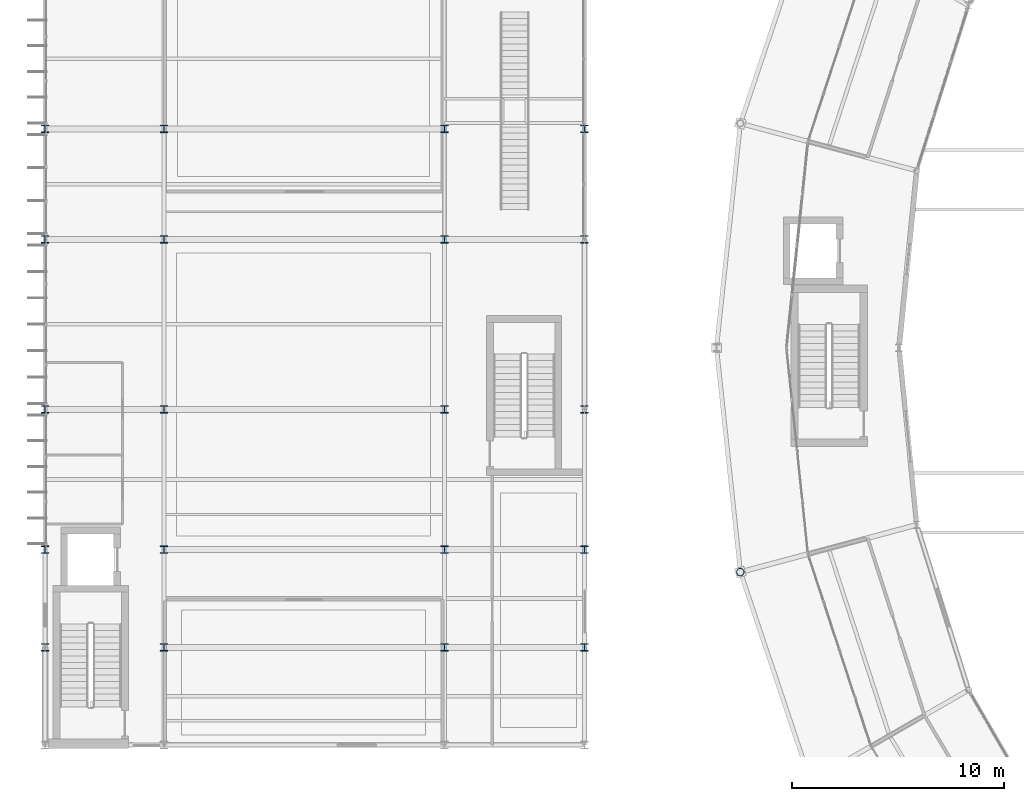
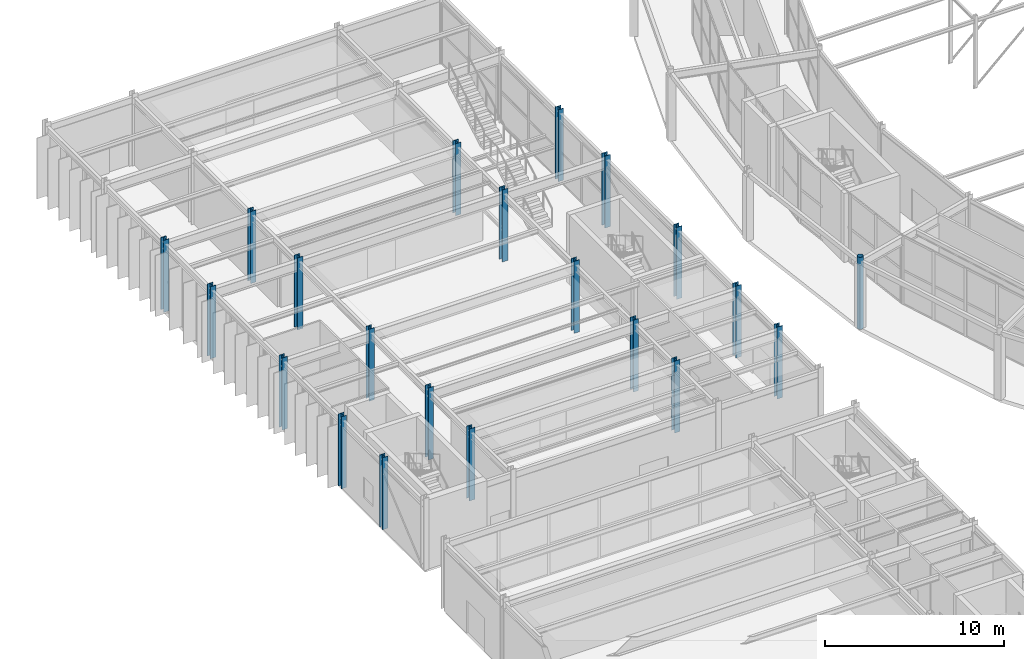
# One storey, part 3 of 144: 21 columns.
"""IFC4 building model written with IfcOpenShell, lengths in metres."""

from ifc_helpers import new_model, si_unit, direction, frame, origin, origin_2d, place, context, subcontext, project, spatial, hollow_circle, i_section, extrude, material, material_profile, profile_set, type_object, element, save


model = new_model("IFC4")

# Units and contexts
model_context = context("Model", 3, precision=1e-05, world=origin(), true_north=direction((0.0, 1.0)))
body_context = subcontext(model_context, "Body", "Model", "MODEL_VIEW")
ifc_project = project(units=[si_unit("LENGTHUNIT", "METRE"), si_unit("AREAUNIT", "SQUARE_METRE"), si_unit("VOLUMEUNIT", "CUBIC_METRE"), si_unit("PLANEANGLEUNIT", "RADIAN"), si_unit("MASSUNIT", "GRAM", prefix="KILO")], contexts=[model_context])

# Site, building, storey
site_placement = place(None, origin())
site = spatial("IfcSite", under=ifc_project, at=site_placement, CompositionType="ELEMENT")
building_placement = place(site_placement, origin())
building = spatial("IfcBuilding", under=site, at=building_placement, Name="Karori Crest Natural Sciences Institute", CompositionType="ELEMENT")
storey_placement = place(building_placement, origin())
storey = spatial("IfcBuildingStorey", under=building, at=storey_placement, Name="L00", CompositionType="ELEMENT", Elevation=0.0)

# Columns
ifc_material_1 = material(Name="Structural steel AS/NZS 3679.1 Grade 350", Category="steel")
ifc_material_profile_1 = material_profile(ifc_material_1, i_section(OverallWidth=0.35009765625, OverallDepth=0.35009765625, WebThickness=0.02001953125, FlangeThickness=0.031982421875, FilletRadius=0.01611328125, at=origin_2d()), Name="350WC280")
ifc_profile_set_1 = profile_set([ifc_material_profile_1], Name="Structural steel AS/NZS 3679.1 Grade 350")
column_type_1 = type_object("IfcColumnType", Name="CT-03", PredefinedType="COLUMN", material=ifc_profile_set_1)
for number, where, z_axis, x_axis, name in (
    (1, (7.39990234375, 35.800048828125, 0.0), (0.0, 0.0, 1.0), (1.0, 0.0, 0.0), "Column C-0581"),
    (2, (7.39990234375, 40.39990234375, 0.0), (0.0, 0.0, 1.0), (1.0, 0.0, 0.0), "Column C-0587"),
    (3, (7.39990234375, 47.0, 0.0), (0.0, 0.0, 1.0), (1.0, 0.0, 0.0), "Column C-0593"),
    (4, (7.39990234375, 55.0, 0.0), (0.0, 0.0, 1.0), (1.0, 0.0, 0.0), "Column C-0599"),
    (5, (7.39990234375, 60.199951171875, 0.0), (0.0, 0.0, 1.0), (1.0, 0.0, 0.0), "Column C-0605"),
    (6, (20.60009765625, 35.800048828125, 0.0), (0.0, 0.0, 1.0), (1.0, 0.0, 0.0), "Column C-0626"),
    (7, (20.60009765625, 40.39990234375, 0.0), (0.0, 0.0, 1.0), (1.0, 0.0, 0.0), "Column C-0632"),
    (8, (20.60009765625, 47.0, 0.0), (0.0, 0.0, 1.0), (1.0, 0.0, 0.0), "Column C-0638"),
    (9, (20.60009765625, 55.0, 0.0), (0.0, 0.0, 1.0), (1.0, 0.0, 0.0), "Column C-0644"),
    (10, (20.60009765625, 60.199951171875, 0.0), (0.0, 0.0, 1.0), (1.0, 0.0, 0.0), "Column C-0650"),
):
    element("IfcColumn", number, at=place(storey_placement, frame(where, z_axis=z_axis, x_axis=x_axis)), inside=storey, type_object=column_type_1, Name=name, PredefinedType="COLUMN", context=body_context, shape_type="SweptSolid", body=[
        extrude(i_section(OverallWidth=0.35009765625, OverallDepth=0.35009765625, WebThickness=0.02001953125, FlangeThickness=0.031982421875, FilletRadius=0.01611328125, at=origin_2d()), origin(), (0.0, 0.0, 1.0), 4.89990234375),
    ])
ifc_material_profile_2 = material_profile(ifc_material_1, i_section(OverallWidth=0.35009765625, OverallDepth=0.35009765625, WebThickness=0.02001953125, FlangeThickness=0.031982421875, FilletRadius=0.01611328125, at=origin_2d()), Name="350WC280")
ifc_profile_set_2 = profile_set([ifc_material_profile_2], Name="Structural steel AS/NZS 3679.1 Grade 350")
column_type_2 = type_object("IfcColumnType", Name="CT-03-EL", PredefinedType="COLUMN", material=ifc_profile_set_2)
for number, where, z_axis, x_axis, name in (
    (11, (1.800048828125, 35.800048828125, 0.0), (0.0, 0.0, 1.0), (1.0, 0.0, 0.0), "Column C-0536"),
    (12, (1.800048828125, 40.39990234375, 0.0), (0.0, 0.0, 1.0), (1.0, 0.0, 0.0), "Column C-0542"),
    (13, (1.800048828125, 47.0, 0.0), (0.0, 0.0, 1.0), (1.0, 0.0, 0.0), "Column C-0548"),
    (14, (1.800048828125, 55.0, 0.0), (0.0, 0.0, 1.0), (1.0, 0.0, 0.0), "Column C-0554"),
    (15, (1.800048828125, 60.199951171875, 0.0), (0.0, 0.0, 1.0), (1.0, 0.0, 0.0), "Column C-0560"),
    (16, (27.199951171875, 35.800048828125, 0.0), (0.0, 0.0, 1.0), (1.0, 0.0, 0.0), "Column C-0671"),
    (17, (27.199951171875, 40.39990234375, 0.0), (0.0, 0.0, 1.0), (1.0, 0.0, 0.0), "Column C-0677"),
    (18, (27.199951171875, 47.0, 0.0), (0.0, 0.0, 1.0), (1.0, 0.0, 0.0), "Column C-0683"),
    (19, (27.199951171875, 55.0, 0.0), (0.0, 0.0, 1.0), (1.0, 0.0, 0.0), "Column C-0689"),
    (20, (27.199951171875, 60.199951171875, 0.0), (0.0, 0.0, 1.0), (1.0, 0.0, 0.0), "Column C-0695"),
):
    element("IfcColumn", number, at=place(storey_placement, frame(where, z_axis=z_axis, x_axis=x_axis)), inside=storey, type_object=column_type_2, Name=name, PredefinedType="COLUMN", context=body_context, shape_type="SweptSolid", body=[
        extrude(i_section(OverallWidth=0.35009765625, OverallDepth=0.35009765625, WebThickness=0.02001953125, FlangeThickness=0.031982421875, FilletRadius=0.01611328125, at=origin_2d()), origin(), (0.0, 0.0, 1.0), 4.89990234375),
    ])
ifc_material_2 = material(Name="Hollow structural steel AS/NZS 1163 Grade C350", Category="steel")
ifc_material_profile_3 = material_profile(ifc_material_2, hollow_circle(Radius=0.177734375, WallThickness=0.0126953125, at=origin_2d()), Name="CHS355.6x12.7")
ifc_profile_set_3 = profile_set([ifc_material_profile_3], Name="Hollow structural steel AS/NZS 1163 Grade C350")
column_type_3 = type_object("IfcColumnType", Name="CT-14", PredefinedType="COLUMN", material=ifc_profile_set_3)
column_placement = place(storey_placement, frame((34.5244140625, 39.340087890625, 0.0), z_axis=(0.0, 0.0, 1.0), x_axis=(1.0, 0.0, 0.0)))
element("IfcColumn", 21, at=column_placement, inside=storey, type_object=column_type_3, Name="Column C-0223", PredefinedType="COLUMN", context=body_context, shape_type="SweptSolid", body=[
    extrude(hollow_circle(Radius=0.177734375, WallThickness=0.0126953125, at=origin_2d()), origin(), (0.0, 0.0, 1.0), 4.89990234375),
])

save(model, "model.ifc")
